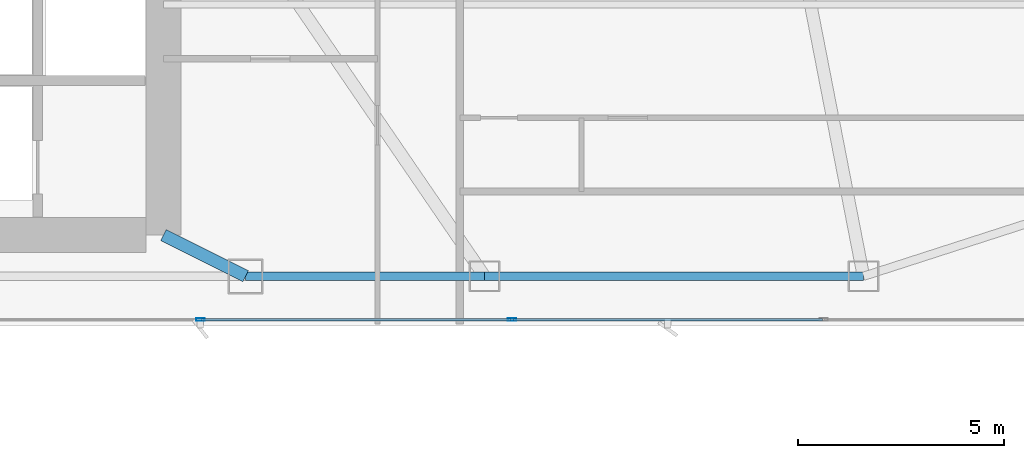
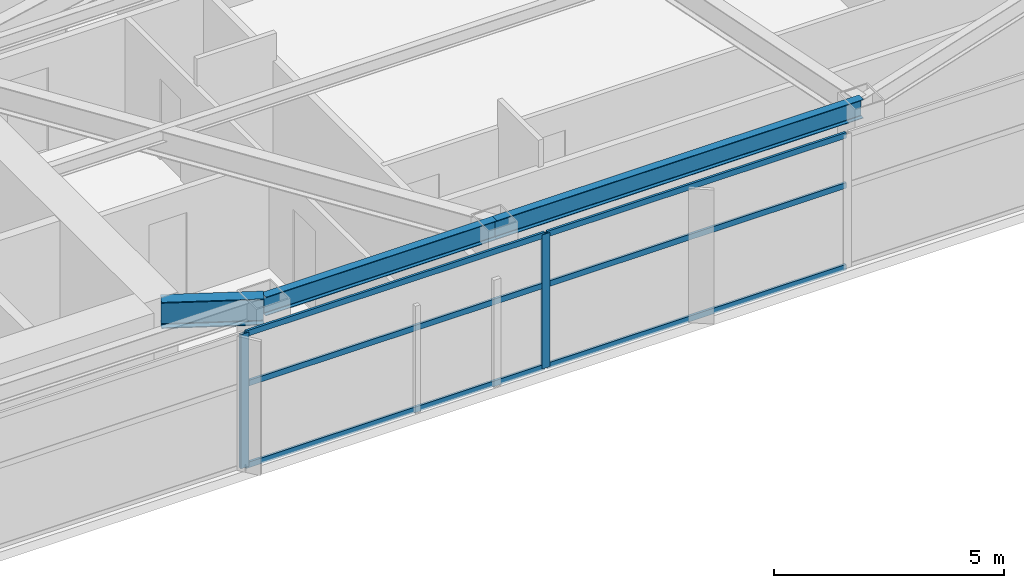
# One storey, part 12 of 28: 8 members, 3 beams, 1 element without a shape of its own.
"""IFC4 building model written with IfcOpenShell, lengths in metres."""

import ifcopenshell
import ifcopenshell.guid

model = None  # the IFC model being written
_history = None  # IfcOwnerHistory: only IFC2X3 demands one
_inside = {}  # id of a spatial element -> (the spatial element, [elements in it])
_under = {}  # id of a project, library or spatial element -> (it, [spatial elements below it])
_declared = {}  # id of a project -> (the project, [libraries it declares])
_typed = {}  # id of a type object -> (the type object, [elements of that type])
_made_of = {}  # id of a material, layer set ... -> (it, [elements and type objects made of it])


def new_model(schema):
    """Start an empty IFC model of exactly this schema.

    Asked for "IFC4X3", IfcOpenShell would pick the latest addendum, in which some entities
    have other attributes; the version numbers below select the first issue.
    IFC2X3 requires an IfcOwnerHistory on every rooted entity: one is made here for all.
    """
    global model, _history
    if schema == "IFC4X3":
        model = ifcopenshell.file(schema_version=(4, 3, 0, 0))
    else:
        model = ifcopenshell.file(schema=schema)
    _inside.clear()
    _under.clear()
    _declared.clear()
    _typed.clear()
    _made_of.clear()
    _history = None
    if model.schema == "IFC2X3":
        org = make("IfcOrganization", Name="unknown")
        user = make(
            "IfcPersonAndOrganization",
            ThePerson=make("IfcPerson", FamilyName="unknown"),
            TheOrganization=org,
        )
        app = make(
            "IfcApplication",
            ApplicationDeveloper=org,
            Version="unknown",
            ApplicationFullName="unknown",
            ApplicationIdentifier="unknown",
        )
        _history = make(
            "IfcOwnerHistory",
            OwningUser=user,
            OwningApplication=app,
            ChangeAction="ADDED",
            CreationDate=0,
        )
    return model


def make(cls, **values):
    """One entity of the class cls with the attributes given. An attribute that is None is left unset."""
    return model.create_entity(
        cls, **{name: value for name, value in values.items() if value is not None}
    )


def rooted(cls, **values):
    """An entity with a GlobalId (a new one), such as an element, a storey or a relation."""
    return make(cls, GlobalId=ifcopenshell.guid.new(), OwnerHistory=_history, **values)


def si_unit(unit_type, name, prefix=None):
    """IfcSIUnit, for example si_unit("LENGTHUNIT", "METRE", prefix="MILLI")."""
    return make("IfcSIUnit", UnitType=unit_type, Prefix=prefix, Name=name)


def assignment(units):
    """IfcUnitAssignment: the units of a project."""
    return None if units is None else make("IfcUnitAssignment", Units=units)


def point(xyz):
    """IfcCartesianPoint."""
    return None if xyz is None else make("IfcCartesianPoint", Coordinates=xyz)


def direction(xyz):
    """IfcDirection."""
    return None if xyz is None else make("IfcDirection", DirectionRatios=xyz)


def frame(location, z_axis=None, x_axis=None):
    """IfcAxis2Placement3D, a coordinate frame: its origin and axes. An axis left out is left unset."""
    return make(
        "IfcAxis2Placement3D",
        Location=point(location),
        Axis=direction(z_axis),
        RefDirection=direction(x_axis),
    )


def frame_2d(location, x_axis=None):
    """IfcAxis2Placement2D, a coordinate frame in the plane: its origin and x axis."""
    return make(
        "IfcAxis2Placement2D", Location=point(location), RefDirection=direction(x_axis)
    )


def origin():
    """The frame at (0, 0, 0) with its axes left unset."""
    return frame((0.0, 0.0, 0.0))


def origin_2d():
    """The frame at (0, 0) in the plane with its x axis left unset."""
    return frame_2d((0.0, 0.0))


def place(relative_to, where):
    """IfcLocalPlacement: puts the frame where relative to a parent placement (None: the world)."""
    return make(
        "IfcLocalPlacement", PlacementRelTo=relative_to, RelativePlacement=where
    )


def context(
    kind, dimensions, precision=None, world=None, true_north=None, identifier=None
):
    """IfcGeometricRepresentationContext, for example the 3D "Model" context."""
    return make(
        "IfcGeometricRepresentationContext",
        ContextIdentifier=identifier,
        ContextType=kind,
        CoordinateSpaceDimension=dimensions,
        Precision=precision,
        WorldCoordinateSystem=world,
        TrueNorth=true_north,
    )


def subcontext(parent, identifier, kind, view, scale=None):
    """IfcGeometricRepresentationSubContext, for example "Body" below "Model"."""
    return make(
        "IfcGeometricRepresentationSubContext",
        ContextIdentifier=identifier,
        ContextType=kind,
        ParentContext=parent,
        TargetScale=scale,
        TargetView=view,
    )


def project(units=None, contexts=None):
    """IfcProject with its units and contexts."""
    return rooted(
        "IfcProject",
        Name="project",
        RepresentationContexts=contexts,
        UnitsInContext=assignment(units),
    )


def spatial(cls, under=None, at=None, **own):
    """A site, building, storey or space (cls), placed at a placement, below another one or the project."""
    s = rooted(cls, ObjectPlacement=at, **own)
    if under is not None:
        _under.setdefault(under.id(), (under, []))[1].append(s)
    return s


def profile(cls, at=None, kind="AREA", **sizes):
    """A parametric profile (cls). Its sizes go by their IFC names, for example OverallWidth=200.0."""
    return make(cls, ProfileType=kind, Position=at, **sizes)


def hollow_rectangle(**sizes):
    """IfcRectangleHollowProfileDef."""
    return profile("IfcRectangleHollowProfileDef", **sizes)


def i_section(**sizes):
    """IfcIShapeProfileDef."""
    return profile("IfcIShapeProfileDef", **sizes)


def extrude(swept, where, along, depth):
    """IfcExtrudedAreaSolid: the profile swept, set in the frame where, extruded along a direction by depth."""
    return make(
        "IfcExtrudedAreaSolid",
        SweptArea=swept,
        Position=where,
        ExtrudedDirection=direction(along),
        Depth=depth,
    )


def shape(context_of_items, identifier, shape_type, items):
    """IfcShapeRepresentation: the items that make up one representation, for example the "Body"."""
    return make(
        "IfcShapeRepresentation",
        ContextOfItems=context_of_items,
        RepresentationIdentifier=identifier,
        RepresentationType=shape_type,
        Items=items,
    )


def material(Name=None, Category=None):
    """IfcMaterial."""
    return make("IfcMaterial", Name=Name, Category=Category)


def layer(
    of_material, thickness, ventilated=None, Name=None, Category=None, Priority=None
):
    """IfcMaterialLayer: one layer of a wall or slab, of a material (None: an air gap)."""
    return make(
        "IfcMaterialLayer",
        Material=of_material,
        LayerThickness=thickness,
        IsVentilated=ventilated,
        Name=Name,
        Category=Category,
        Priority=Priority,
    )


def layer_set(layers, Name=None):
    """IfcMaterialLayerSet."""
    return make("IfcMaterialLayerSet", MaterialLayers=layers, LayerSetName=Name)


def material_profile(
    of_material, cross_section, Name=None, Category=None, Priority=None
):
    """IfcMaterialProfile: a cross section and its material."""
    return make(
        "IfcMaterialProfile",
        Name=Name,
        Material=of_material,
        Profile=cross_section,
        Priority=Priority,
        Category=Category,
    )


def profile_set(profiles, Name=None, composite=None):
    """IfcMaterialProfileSet."""
    return make(
        "IfcMaterialProfileSet",
        Name=Name,
        MaterialProfiles=profiles,
        CompositeProfile=composite,
    )


def made_of(thing, what):
    """Note that an element or type object is made of a material, layer set ...; save() writes the relation."""
    if what is not None:
        _made_of.setdefault(what.id(), (what, []))[1].append(thing)
    return thing


def type_object(cls, material=None, **own):
    """A type object (cls), such as IfcWallType, which elements share."""
    return made_of(rooted(cls, **own), material)


def element(
    cls,
    number,
    at=None,
    inside=None,
    cuts=None,
    type_object=None,
    material=None,
    context=None,
    identifier="Body",
    shape_type=None,
    held_by="IfcProductDefinitionShape",
    body=None,
    shapes=None,
    **own,
):
    """One element of the class cls, such as IfcWall. Its Tag is "e" and its number.

    at: its placement. inside: the storey or other place that contains it. cuts: it is an
    opening in that element (IfcRelVoidsElement). A single representation is given by context,
    identifier, shape_type and body (its items); several are given by shapes. held_by: the class
    of the entity that holds the representations. save() writes the other relations.
    """
    e = rooted(cls, Tag="e%d" % number, ObjectPlacement=at, **own)
    if body is not None:
        shapes = [shape(context, identifier, shape_type, body)]
    if shapes is not None:
        e.Representation = make(held_by, Representations=shapes)
    if inside is not None:
        _inside.setdefault(inside.id(), (inside, []))[1].append(e)
    if cuts is not None:
        rooted(
            "IfcRelVoidsElement", RelatingBuildingElement=cuts, RelatedOpeningElement=e
        )
    if type_object is not None:
        _typed.setdefault(type_object.id(), (type_object, []))[1].append(e)
    return made_of(e, material)


def aggregate(whole, parts):
    """IfcRelAggregates: a whole, such as a stair, and the parts it consists of."""
    return rooted("IfcRelAggregates", RelatingObject=whole, RelatedObjects=parts)


def save(model, path):
    """Write the relations noted so far, then the file.

    IfcRelAggregates (storeys below a building ...), IfcRelContainedInSpatialStructure (elements
    in a storey), IfcRelDefinesByType, IfcRelAssociatesMaterial and IfcRelDeclares: one each for
    every whole, place, type object, material and project.
    """
    for whole, parts in _under.values():
        aggregate(whole, parts)
    for where, things in _inside.values():
        rooted(
            "IfcRelContainedInSpatialStructure",
            RelatedElements=things,
            RelatingStructure=where,
        )
    for kind, things in _typed.values():
        rooted("IfcRelDefinesByType", RelatedObjects=things, RelatingType=kind)
    for what, things in _made_of.values():
        rooted("IfcRelAssociatesMaterial", RelatedObjects=things, RelatingMaterial=what)
    for by, libraries in _declared.values():
        rooted("IfcRelDeclares", RelatingContext=by, RelatedDefinitions=libraries)
    model.write(path)


model = new_model("IFC4")

# Units and contexts
model_context = context("Model", 3, precision=1e-05, world=origin(), true_north=direction((0.0, 1.0)))
body_context = subcontext(model_context, "Body", "Model", "MODEL_VIEW")
ifc_project = project(units=[si_unit("LENGTHUNIT", "METRE"), si_unit("AREAUNIT", "SQUARE_METRE"), si_unit("VOLUMEUNIT", "CUBIC_METRE"), si_unit("PLANEANGLEUNIT", "RADIAN"), si_unit("MASSUNIT", "GRAM", prefix="KILO")], contexts=[model_context])

# Site, building, storey
site_placement = place(None, origin())
site = spatial("IfcSite", under=ifc_project, at=site_placement, CompositionType="ELEMENT")
building_placement = place(site_placement, origin())
building = spatial("IfcBuilding", under=site, at=building_placement, Name="Calvorn Quay Hotel", CompositionType="ELEMENT")
storey_placement = place(building_placement, frame((0.0, 0.0, 112.60009765625)))
storey = spatial("IfcBuildingStorey", under=building, at=storey_placement, Name="L27", CompositionType="ELEMENT", Elevation=112.60009765625)

# Beams
ifc_material_1 = material(Name="Steel Q390GJC", Category="steel")
ifc_material_profile_1 = material_profile(ifc_material_1, i_section(OverallWidth=0.300048828125, OverallDepth=0.699951171875, WebThickness=0.012939453125, FlangeThickness=0.02392578125, FilletRadius=0.02392578125, at=origin_2d()), Name="HN700x300x13x24")
ifc_profile_set_1 = profile_set([ifc_material_profile_1], Name="Steel Q390GJC")
beam_type_1 = type_object("IfcBeamType", Name="BM-GIRD-MAIN", PredefinedType="BEAM", material=ifc_profile_set_1)
beam_1_placement = place(storey_placement, frame((34.39990234375, 3.60009765625, 3.18994140625), z_axis=(-0.894427191, 0.4472135955, 0.0), x_axis=(-0.4472135955, -0.894427191, 0.0)))
element("IfcBeam", 1, at=beam_1_placement, inside=storey, type_object=beam_type_1, Name="Beam BG-L27-S3", PredefinedType="BEAM", context=body_context, shape_type="SweptSolid", body=[
    extrude(i_section(OverallWidth=0.300048828125, OverallDepth=0.699951171875, WebThickness=0.012939453125, FlangeThickness=0.02392578125, FilletRadius=0.02392578125, at=origin_2d()), origin(), (0.0, 0.0, 1.0), 2.236083984375),
])
ifc_material_2 = material(Name="Steel Q355B", Category="steel")
ifc_material_profile_2 = material_profile(ifc_material_2, i_section(OverallWidth=0.199951171875, OverallDepth=0.5, WebThickness=0.010009765625, FlangeThickness=0.01611328125, FilletRadius=0.01611328125, at=origin_2d()), Name="HN500x200x10x16")
ifc_profile_set_2 = profile_set([ifc_material_profile_2], Name="Steel Q355B")
beam_type_2 = type_object("IfcBeamType", Name="BM-SPANDREL-Z1", PredefinedType="SPANDREL", material=ifc_profile_set_2)
beam_2_placement = place(storey_placement, frame((34.39990234375, 3.60009765625, 3.289794921875), z_axis=(1.0, 0.0, 0.0), x_axis=(0.0, 1.0, 0.0)))
element("IfcBeam", 2, at=beam_2_placement, inside=storey, type_object=beam_type_2, Name="Beam BSP-L27-S4", PredefinedType="SPANDREL", context=body_context, shape_type="SweptSolid", body=[
    extrude(i_section(OverallWidth=0.199951171875, OverallDepth=0.5, WebThickness=0.010009765625, FlangeThickness=0.01611328125, FilletRadius=0.01611328125, at=origin_2d()), origin(), (0.0, 0.0, 1.0), 5.800048828125),
])
beam_3_placement = place(storey_placement, frame((40.199951171875, 3.60009765625, 3.289794921875), z_axis=(1.0, 0.0, 0.0), x_axis=(0.0, 1.0, 0.0)))
element("IfcBeam", 3, at=beam_3_placement, inside=storey, type_object=beam_type_2, Name="Beam BSP-L27-S5", PredefinedType="SPANDREL", context=body_context, shape_type="SweptSolid", body=[
    extrude(i_section(OverallWidth=0.199951171875, OverallDepth=0.5, WebThickness=0.010009765625, FlangeThickness=0.01611328125, FilletRadius=0.01611328125, at=origin_2d()), origin(), (0.0, 0.0, 1.0), 9.199951171875),
])

# Curtain wall, members
ifc_material_3 = material(Name="Pale Anodised Aluminium and Low-E Glass", Category="aluminium")
ifc_layer = layer(ifc_material_3, 0.219970703125)
ifc_layer_set = layer_set([ifc_layer], Name="CW-SYS-Z2")
curtain_wall_type = type_object("IfcCurtainWallType", Name="CW-SYS-Z2", PredefinedType="NOTDEFINED", material=ifc_layer_set)
curtain_wall_placement = place(storey_placement, origin())
curtain_wall = element("IfcCurtainWall", 4, at=curtain_wall_placement, inside=storey, type_object=curtain_wall_type, Name="Tower South Waterfront Curtain Wall (L27)", PredefinedType="NOTDEFINED")
ifc_material_4 = material(Name="Pale Anodised Aluminium 6063-T6", Category="aluminium")
ifc_material_profile_3 = material_profile(ifc_material_4, hollow_rectangle(XDim=0.070068359375, YDim=0.199951171875, WallThickness=0.00390625, at=origin_2d()), Name="ALU-M200x70x4")
ifc_profile_set_3 = profile_set([ifc_material_profile_3], Name="Pale Anodised Aluminium 6063-T6")
member_type_1 = type_object("IfcMemberType", Name="CW-SYS-Z2-MUL", PredefinedType="MULLION", material=ifc_profile_set_3)
member_1_placement = place(storey_placement, frame((33.300048828125, 2.550048828125, 0.0), z_axis=(0.0, 0.0, 1.0), x_axis=(0.0, 1.0, 0.0)))
member_1 = element("IfcMember", 5, at=member_1_placement, type_object=member_type_1, Name="CW-L27-S mullion 4", PredefinedType="MULLION", context=body_context, shape_type="SweptSolid", body=[
    extrude(hollow_rectangle(XDim=0.070068359375, YDim=0.199951171875, WallThickness=0.00390625, at=origin_2d()), origin(), (0.0, 0.0, 1.0), 3.559814453125),
])
member_2_placement = place(storey_placement, frame((40.86669921875, 2.550048828125, 0.0), z_axis=(0.0, 0.0, 1.0), x_axis=(0.0, 1.0, 0.0)))
member_2 = element("IfcMember", 6, at=member_2_placement, type_object=member_type_1, Name="CW-L27-S mullion 5", PredefinedType="MULLION", context=body_context, shape_type="SweptSolid", body=[
    extrude(hollow_rectangle(XDim=0.070068359375, YDim=0.199951171875, WallThickness=0.00390625, at=origin_2d()), origin(), (0.0, 0.0, 1.0), 3.559814453125),
])
ifc_material_5 = material(Name="Pale Anodised Aluminium 6063-T6", Category="aluminium")
ifc_material_profile_4 = material_profile(ifc_material_5, hollow_rectangle(XDim=0.06005859375, YDim=0.14990234375, WallThickness=0.00341796875, at=origin_2d()), Name="ALU-T150x60x3.5")
ifc_profile_set_4 = profile_set([ifc_material_profile_4], Name="Pale Anodised Aluminium 6063-T6")
member_type_2 = type_object("IfcMemberType", Name="CW-SYS-Z2-TRN", PredefinedType="USERDEFINED", material=ifc_profile_set_4)
member_3_placement = place(storey_placement, frame((33.330078125, 2.550048828125, 0.02978515625), z_axis=(1.0, 0.0, 0.0), x_axis=(0.0, 1.0, 0.0)))
member_3 = element("IfcMember", 7, at=member_3_placement, type_object=member_type_2, Name="CW-L27-S transom 4.1", ObjectType="TRANSOM", PredefinedType="USERDEFINED", context=body_context, shape_type="SweptSolid", body=[
    extrude(hollow_rectangle(XDim=0.06005859375, YDim=0.14990234375, WallThickness=0.00341796875, at=origin_2d()), origin(), (0.0, 0.0, 1.0), 7.506591796875),
])
member_4_placement = place(storey_placement, frame((33.330078125, 2.550048828125, 2.199951171875), z_axis=(1.0, 0.0, 0.0), x_axis=(0.0, 1.0, 0.0)))
member_4 = element("IfcMember", 8, at=member_4_placement, type_object=member_type_2, Name="CW-L27-S transom 4.2", ObjectType="TRANSOM", PredefinedType="USERDEFINED", context=body_context, shape_type="SweptSolid", body=[
    extrude(hollow_rectangle(XDim=0.06005859375, YDim=0.14990234375, WallThickness=0.00341796875, at=origin_2d()), origin(), (0.0, 0.0, 1.0), 7.506591796875),
])
member_5_placement = place(storey_placement, frame((33.330078125, 2.550048828125, 3.52978515625), z_axis=(1.0, 0.0, 0.0), x_axis=(0.0, 1.0, 0.0)))
member_5 = element("IfcMember", 9, at=member_5_placement, type_object=member_type_2, Name="CW-L27-S transom 4.3", ObjectType="TRANSOM", PredefinedType="USERDEFINED", context=body_context, shape_type="SweptSolid", body=[
    extrude(hollow_rectangle(XDim=0.06005859375, YDim=0.14990234375, WallThickness=0.00341796875, at=origin_2d()), origin(), (0.0, 0.0, 1.0), 7.506591796875),
])
member_6_placement = place(storey_placement, frame((40.896728515625, 2.550048828125, 0.02978515625), z_axis=(1.0, 0.0, 0.0), x_axis=(0.0, 1.0, 0.0)))
member_6 = element("IfcMember", 10, at=member_6_placement, type_object=member_type_2, Name="CW-L27-S transom 5.1", ObjectType="TRANSOM", PredefinedType="USERDEFINED", context=body_context, shape_type="SweptSolid", body=[
    extrude(hollow_rectangle(XDim=0.06005859375, YDim=0.14990234375, WallThickness=0.00341796875, at=origin_2d()), origin(), (0.0, 0.0, 1.0), 7.506591796875),
])
member_7_placement = place(storey_placement, frame((40.896728515625, 2.550048828125, 2.199951171875), z_axis=(1.0, 0.0, 0.0), x_axis=(0.0, 1.0, 0.0)))
member_7 = element("IfcMember", 11, at=member_7_placement, type_object=member_type_2, Name="CW-L27-S transom 5.2", ObjectType="TRANSOM", PredefinedType="USERDEFINED", context=body_context, shape_type="SweptSolid", body=[
    extrude(hollow_rectangle(XDim=0.06005859375, YDim=0.14990234375, WallThickness=0.00341796875, at=origin_2d()), origin(), (0.0, 0.0, 1.0), 7.506591796875),
])
member_8_placement = place(storey_placement, frame((40.896728515625, 2.550048828125, 3.52978515625), z_axis=(1.0, 0.0, 0.0), x_axis=(0.0, 1.0, 0.0)))
member_8 = element("IfcMember", 12, at=member_8_placement, type_object=member_type_2, Name="CW-L27-S transom 5.3", ObjectType="TRANSOM", PredefinedType="USERDEFINED", context=body_context, shape_type="SweptSolid", body=[
    extrude(hollow_rectangle(XDim=0.06005859375, YDim=0.14990234375, WallThickness=0.00341796875, at=origin_2d()), origin(), (0.0, 0.0, 1.0), 7.506591796875),
])
aggregate(curtain_wall, [member_1, member_2, member_3, member_4, member_5, member_6, member_7, member_8])

save(model, "model.ifc")
